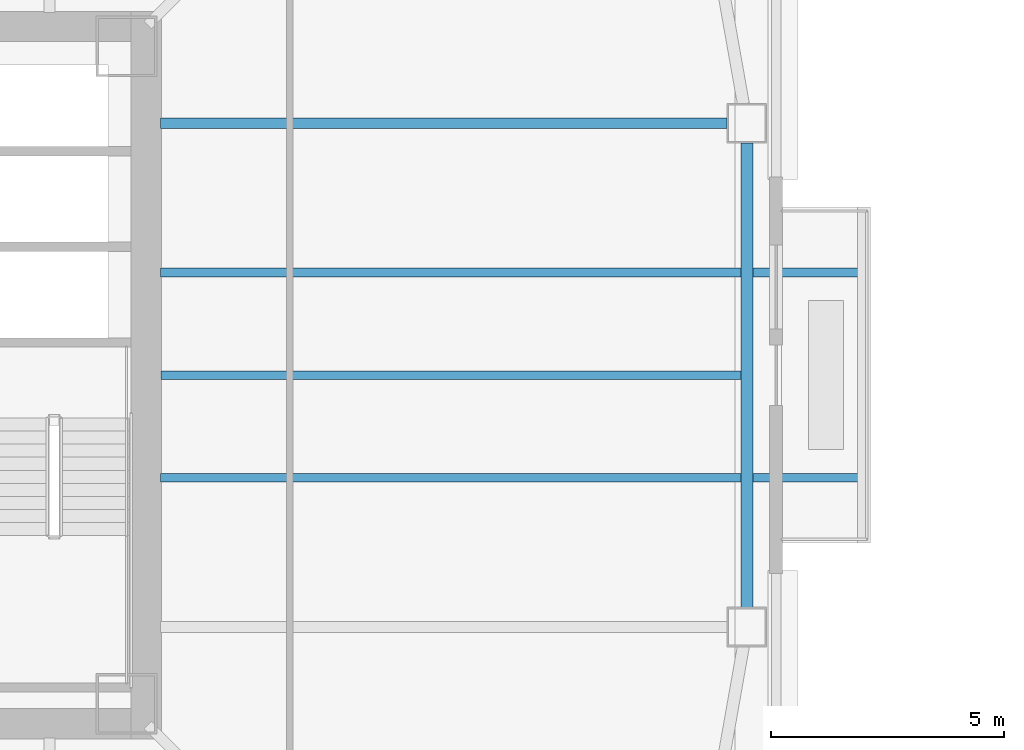
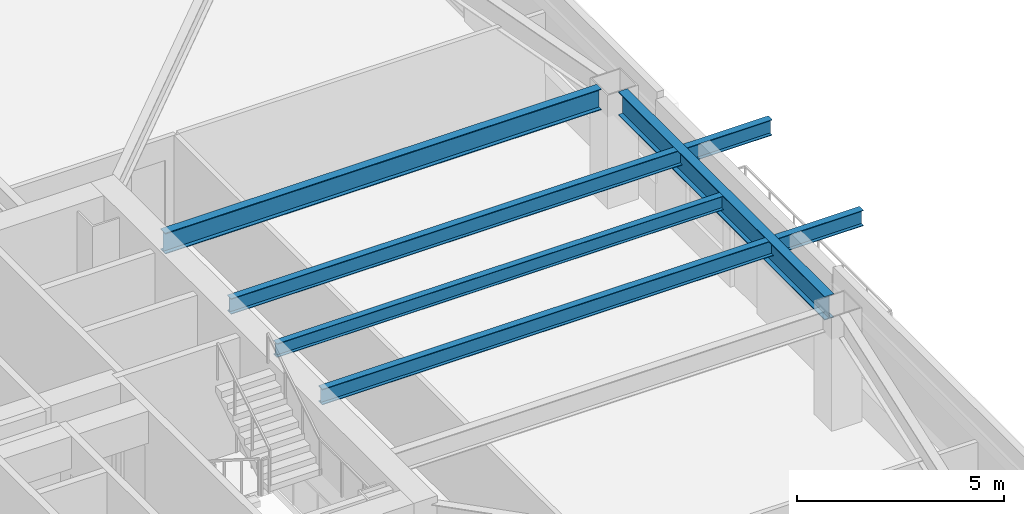
# One storey, part 10 of 44: 5 beams.
"""IFC4 building model written with IfcOpenShell, lengths in metres."""

from ifc_helpers import new_model, si_unit, direction, frame, origin, origin_2d, place, context, subcontext, project, spatial, i_section, extrude, material, material_profile, profile_set, type_object, element, save


model = new_model("IFC4")

# Units and contexts
model_context = context("Model", 3, precision=1e-05, world=origin(), true_north=direction((0.0, 1.0)))
body_context = subcontext(model_context, "Body", "Model", "MODEL_VIEW")
ifc_project = project(units=[si_unit("LENGTHUNIT", "METRE"), si_unit("AREAUNIT", "SQUARE_METRE"), si_unit("VOLUMEUNIT", "CUBIC_METRE"), si_unit("PLANEANGLEUNIT", "RADIAN"), si_unit("MASSUNIT", "GRAM", prefix="KILO")], contexts=[model_context])

# Site, building, storey
site_placement = place(None, origin())
site = spatial("IfcSite", under=ifc_project, at=site_placement, CompositionType="ELEMENT")
building_placement = place(site_placement, origin())
building = spatial("IfcBuilding", under=site, at=building_placement, Name="Tashvorn Skyway Center", CompositionType="ELEMENT")
storey_placement = place(building_placement, frame((0.0, 0.0, 84.949951171875)))
storey = spatial("IfcBuildingStorey", under=building, at=storey_placement, Name="L22", CompositionType="ELEMENT", Elevation=84.949951171875)

# Beams
ifc_material = material(Name="Steel ASTM A992 Grade 50", Category="steel")
ifc_material_profile_1 = material_profile(ifc_material, i_section(OverallWidth=0.22998046875, OverallDepth=0.616943359375, WebThickness=0.01318359375, FlangeThickness=0.022216796875, at=origin_2d()), Name="W24X94")
ifc_profile_set_1 = profile_set([ifc_material_profile_1], Name="Steel ASTM A992 Grade 50")
beam_type_1 = type_object("IfcBeamType", Name="BM-BEAM-W24X94", PredefinedType="BEAM", material=ifc_profile_set_1)
beam_1_placement = place(storey_placement, frame((61.929931640625, 37.39990234375, 3.04150390625), z_axis=(-1.0, 0.0, 0.0), x_axis=(0.0, -1.0, 0.0)))
element("IfcBeam", 1, at=beam_1_placement, inside=storey, type_object=beam_type_1, Name="Tower 1 L22 Primary Floor Girder FC-E2", PredefinedType="BEAM", context=body_context, shape_type="SweptSolid", body=[
    extrude(i_section(OverallWidth=0.22998046875, OverallDepth=0.616943359375, WebThickness=0.01318359375, FlangeThickness=0.022216796875, at=origin_2d()), origin(), (0.0, 0.0, 1.0), 12.14990234375),
])
ifc_material_profile_2 = material_profile(ifc_material, i_section(OverallWidth=0.177978515625, OverallDepth=0.406005859375, WebThickness=0.0078125, FlangeThickness=0.0126953125, at=origin_2d()), Name="W16X40")
ifc_profile_set_2 = profile_set([ifc_material_profile_2], Name="Steel ASTM A992 Grade 50")
beam_type_2 = type_object("IfcBeamType", Name="BM-JOIST-W16X40", PredefinedType="JOIST", material=ifc_profile_set_2)
beam_2_placement = place(storey_placement, frame((49.7900390625, 32.0, 3.14697265625), z_axis=(1.0, 0.0, 0.0), x_axis=(0.0, 1.0, 0.0)))
element("IfcBeam", 2, at=beam_2_placement, inside=storey, type_object=beam_type_2, Name="Tower 1 L22 Secondary Composite Joist JE", PredefinedType="JOIST", context=body_context, shape_type="SweptSolid", body=[
    extrude(i_section(OverallWidth=0.177978515625, OverallDepth=0.406005859375, WebThickness=0.0078125, FlangeThickness=0.0126953125, at=origin_2d()), origin(), (0.0, 0.0, 1.0), 12.43994140625),
])
ifc_material_profile_3 = material_profile(ifc_material, i_section(OverallWidth=0.19091796875, OverallDepth=0.4599609375, WebThickness=0.010009765625, FlangeThickness=0.01611328125, at=origin_2d()), Name="W18X55")
ifc_profile_set_3 = profile_set([ifc_material_profile_3], Name="Steel ASTM A992 Grade 50")
beam_type_3 = type_object("IfcBeamType", Name="BM-JOIST-W18X55", PredefinedType="JOIST", material=ifc_profile_set_3)
for number, where, z_axis, x_axis, name in (
    (3, (49.780029296875, 29.800048828125, 3.1201171875), (1.0, 0.0, 0.0), (0.0, 1.0, 0.0), "Tower 1 L23 Terrace Cantilever Outlooker 1"),
    (4, (49.780029296875, 34.199951171875, 3.1201171875), (1.0, 0.0, 0.0), (0.0, 1.0, 0.0), "Tower 1 L23 Terrace Cantilever Outlooker 2"),
):
    element("IfcBeam", number, at=place(storey_placement, frame(where, z_axis=z_axis, x_axis=x_axis)), inside=storey, type_object=beam_type_3, Name=name, PredefinedType="JOIST", context=body_context, shape_type="SweptSolid", body=[
        extrude(i_section(OverallWidth=0.19091796875, OverallDepth=0.4599609375, WebThickness=0.010009765625, FlangeThickness=0.01611328125, at=origin_2d()), origin(), (0.0, 0.0, 1.0), 15.070068359375),
    ])
ifc_material_profile_4 = material_profile(ifc_material, i_section(OverallWidth=0.256103515625, OverallDepth=0.693115234375, WebThickness=0.014404296875, FlangeThickness=0.023681640625, at=origin_2d()), Name="W27X114")
ifc_profile_set_4 = profile_set([ifc_material_profile_4], Name="Steel ASTM A992 Grade 50")
beam_type_4 = type_object("IfcBeamType", Name="BM-SPANDREL-W27X114", PredefinedType="SPANDREL", material=ifc_profile_set_4)
beam_3_placement = place(storey_placement, frame((62.35009765625, 27.02001953125, 3.003662109375), z_axis=(0.0, 1.0, 0.0), x_axis=(-1.0, 0.0, 0.0)))
element("IfcBeam", 5, at=beam_3_placement, inside=storey, type_object=beam_type_4, Name="Tower 1 L22 Spandrel Beam 05", PredefinedType="SPANDREL", context=body_context, shape_type="SweptSolid", body=[
    extrude(i_section(OverallWidth=0.256103515625, OverallDepth=0.693115234375, WebThickness=0.014404296875, FlangeThickness=0.023681640625, at=origin_2d()), origin(), (0.0, 0.0, 1.0), 9.9599609375),
])

save(model, "model.ifc")
